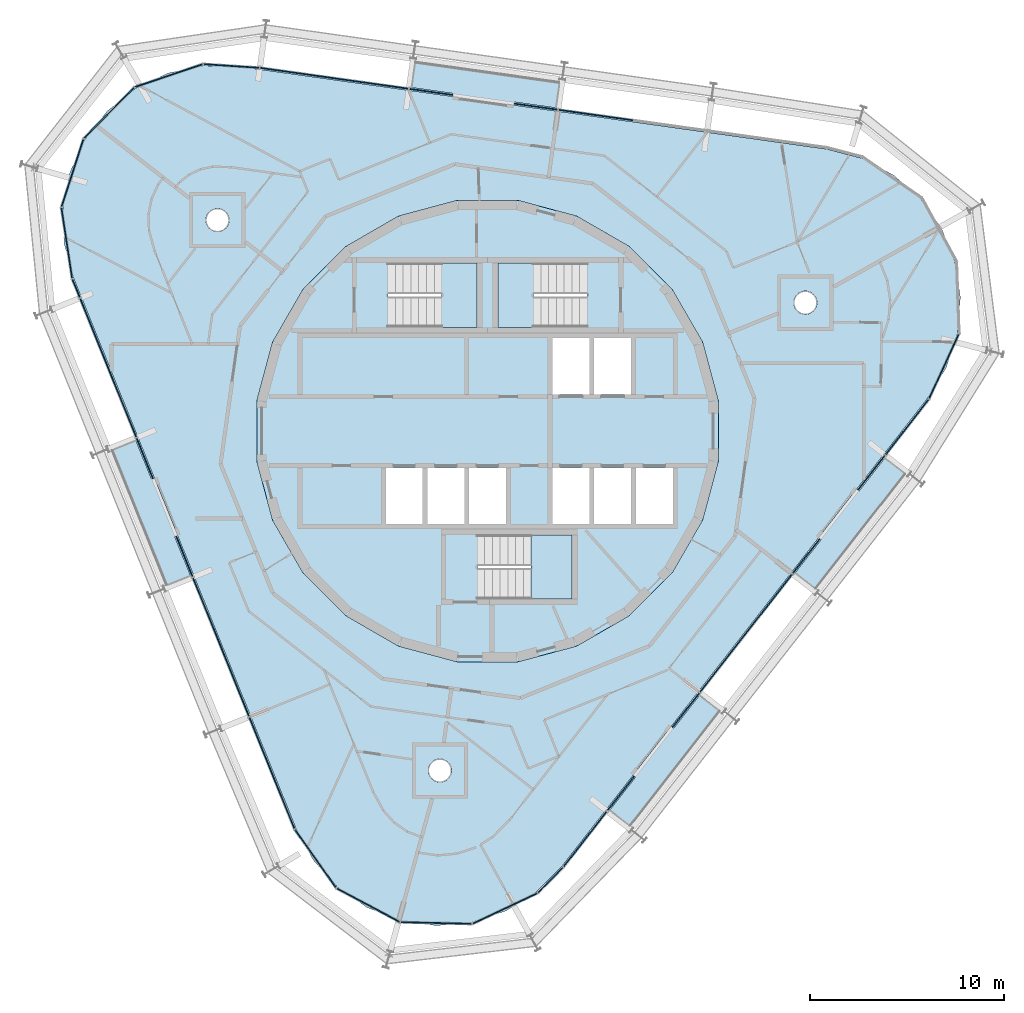
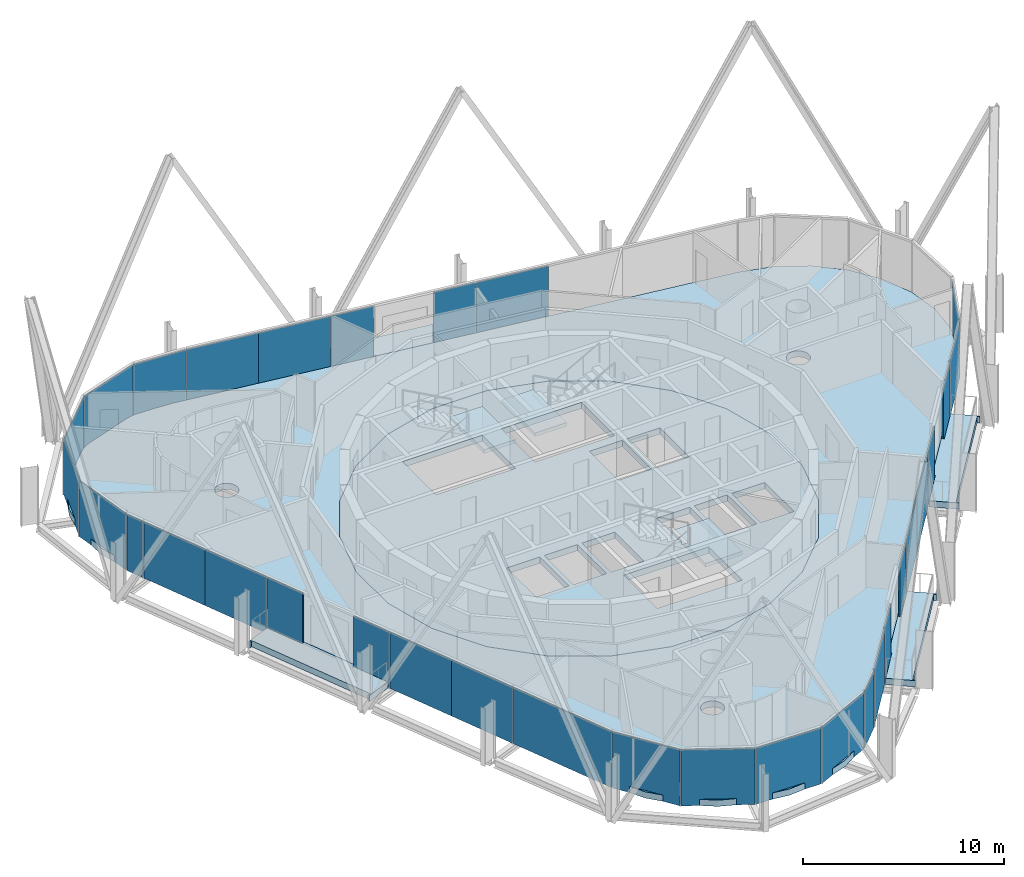
# One storey, part 8 of 15: 32 plates, 9 slabs, 9 elements without a shape of their own.
"""IFC4 building model written with IfcOpenShell, lengths in metres."""

from ifc_helpers import new_model, si_unit, direction, frame, origin, origin_2d, place, context, subcontext, project, spatial, polyline, rectangle, outline, extrude, material, layer, layer_set, type_object, element, aggregate, save


model = new_model("IFC4")

# Units and contexts
model_context = context("Model", 3, precision=1e-05, world=origin(), true_north=direction((0.0, 1.0)))
body_context = subcontext(model_context, "Body", "Model", "MODEL_VIEW")
ifc_project = project(units=[si_unit("LENGTHUNIT", "METRE"), si_unit("AREAUNIT", "SQUARE_METRE"), si_unit("VOLUMEUNIT", "CUBIC_METRE"), si_unit("PLANEANGLEUNIT", "RADIAN"), si_unit("MASSUNIT", "GRAM", prefix="KILO")], contexts=[model_context])

# Site, building, storey
site_placement = place(None, origin())
site = spatial("IfcSite", under=ifc_project, at=site_placement, CompositionType="ELEMENT")
building_placement = place(site_placement, origin())
building = spatial("IfcBuilding", under=site, at=building_placement, Name="Spindle Arch Residences", CompositionType="ELEMENT")
storey_placement = place(building_placement, frame((0.0, 0.0, 347.0)))
storey = spatial("IfcBuildingStorey", under=building, at=storey_placement, Name="L89", CompositionType="ELEMENT", Elevation=347.0)

# Slabs
ifc_material_1 = material(Name="Concrete C40/50", Category="concrete")
ifc_layer_1 = layer(ifc_material_1, 0.3798828125)
ifc_layer_set_1 = layer_set([ifc_layer_1], Name="Balcony slab 380")
slab_type_1 = type_object("IfcSlabType", Name="Balcony slab 380", PredefinedType="FLOOR", material=ifc_layer_set_1)
slab_1_placement = place(storey_placement, frame((0.0, 0.0, -0.3798828125)))
element("IfcSlab", 1, at=slab_1_placement, inside=storey, type_object=slab_type_1, Name="Balcony L89 bay 1", PredefinedType="FLOOR", context=body_context, shape_type="SweptSolid", body=[
    extrude(outline(polyline([(17.005615234375, -8.263916015625), (17.052001953125, -8.204833984375), (16.93359375, -8.1123046875), (21.530029296875, -2.2294921875), (21.648193359375, -2.32177734375), (21.6943359375, -2.2626953125), (20.520263671875, -1.34521484375), (19.160888671875, -3.085205078125), (19.034912109375, -2.986572265625), (17.064697265625, -5.50830078125), (17.19091796875, -5.606689453125), (15.83154296875, -7.346435546875), (17.005615234375, -8.263916015625)])), origin(), (0.0, 0.0, 1.0), 0.3798828125),
])
slab_2_placement = place(storey_placement, frame((0.0, 0.0, -0.3798828125)))
element("IfcSlab", 2, at=slab_2_placement, inside=storey, type_object=slab_type_1, Name="Balcony L89 bay 7", PredefinedType="FLOOR", context=body_context, shape_type="SweptSolid", body=[
    extrude(outline(polyline([(3.780517578125, 18.138916015625), (3.706298828125, 18.149169921875), (3.685302734375, 18.000732421875), (-3.70751953125, 19.039794921875), (-3.686767578125, 19.188232421875), (-3.760986328125, 19.19873046875), (-3.96826171875, 17.72314453125), (-1.781982421875, 17.416015625), (-1.80419921875, 17.257568359375), (1.364501953125, 16.81201171875), (1.38671875, 16.970458984375), (3.5732421875, 16.663330078125), (3.780517578125, 18.138916015625)])), origin(), (0.0, 0.0, 1.0), 0.3798828125),
])
slab_3_placement = place(storey_placement, frame((0.0, 0.0, -0.3798828125)))
element("IfcSlab", 3, at=slab_3_placement, inside=storey, type_object=slab_type_1, Name="Balcony L89 bay 13", PredefinedType="FLOOR", context=body_context, shape_type="SweptSolid", body=[
    extrude(outline(polyline([(-19.538330078125, -0.995361328125), (-19.51025390625, -1.06494140625), (-19.37109375, -1.008544921875), (-16.574462890625, -7.9306640625), (-16.713623046875, -7.98681640625), (-16.685302734375, -8.056396484375), (-15.303955078125, -7.498291015625), (-16.130859375, -5.451171875), (-15.982666015625, -5.391357421875), (-17.181396484375, -2.42431640625), (-17.32958984375, -2.484130859375), (-18.15673828125, -0.437255859375), (-19.538330078125, -0.995361328125)])), origin(), (0.0, 0.0, 1.0), 0.3798828125),
])
slab_4_placement = place(storey_placement, frame((0.0, 0.0, -0.3798828125)))
element("IfcSlab", 4, at=slab_4_placement, inside=storey, type_object=slab_type_1, Name="Balcony L89 bay 19", PredefinedType="FLOOR", context=body_context, shape_type="SweptSolid", body=[
    extrude(outline(polyline([(7.44384765625, -20.50244140625), (7.489990234375, -20.443359375), (7.371826171875, -20.35107421875), (11.968017578125, -14.46826171875), (12.086181640625, -14.560546875), (12.13232421875, -14.50146484375), (10.958251953125, -13.583984375), (9.59912109375, -15.32373046875), (9.472900390625, -15.225341796875), (7.5029296875, -17.7470703125), (7.62890625, -17.845458984375), (6.269775390625, -19.585205078125), (7.44384765625, -20.50244140625)])), origin(), (0.0, 0.0, 1.0), 0.3798828125),
])
ifc_material_2 = material(Name="Concrete C50/60", Category="concrete")
ifc_layer_2 = layer(ifc_material_2, 0.3798828125)
ifc_layer_set_2 = layer_set([ifc_layer_2], Name="Core floor slab 380")
slab_type_2 = type_object("IfcSlabType", Name="Core floor slab 380", PredefinedType="FLOOR", material=ifc_layer_set_2)
slab_5_placement = place(storey_placement, frame((0.0, 0.0, -0.3798828125)))
element("IfcSlab", 5, at=slab_5_placement, inside=storey, type_object=slab_type_2, Name="Core floor L89", PredefinedType="FLOOR", context=body_context, shape_type="SweptSolid", body=[
    extrude(outline(polyline([(1.56640625, -11.897216796875), (4.59228515625, -11.086669921875), (7.30517578125, -9.520263671875), (9.520263671875, -7.30517578125), (11.086669921875, -4.59228515625), (11.897216796875, -1.56640625), (11.897216796875, 1.56640625), (11.086669921875, 4.59228515625), (9.520263671875, 7.30517578125), (7.30517578125, 9.520263671875), (4.59228515625, 11.086669921875), (1.56640625, 11.897216796875), (-1.56640625, 11.897216796875), (-4.59228515625, 11.086669921875), (-7.30517578125, 9.520263671875), (-9.520263671875, 7.30517578125), (-11.086669921875, 4.59228515625), (-11.897216796875, 1.56640625), (-11.897216796875, -1.56640625), (-11.086669921875, -4.59228515625), (-9.520263671875, -7.30517578125), (-7.30517578125, -9.520263671875), (-4.59228515625, -11.086669921875), (-1.56640625, -11.897216796875), (1.56640625, -11.897216796875)]), holes=[polyline([(3.35009765625, 1.89990234375), (5.25, 1.89990234375), (5.25, 4.800048828125), (3.35009765625, 4.800048828125), (3.35009765625, 1.89990234375)]), polyline([(5.5, 1.89990234375), (7.39990234375, 1.89990234375), (7.39990234375, 4.800048828125), (5.5, 4.800048828125), (5.5, 1.89990234375)]), polyline([(-5.25, -4.800048828125), (-3.35009765625, -4.800048828125), (-3.35009765625, -1.89990234375), (-5.25, -1.89990234375), (-5.25, -4.800048828125)]), polyline([(-3.10009765625, -4.800048828125), (-1.199951171875, -4.800048828125), (-1.199951171875, -1.89990234375), (-3.10009765625, -1.89990234375), (-3.10009765625, -4.800048828125)]), polyline([(-0.949951171875, -4.800048828125), (0.949951171875, -4.800048828125), (0.949951171875, -1.89990234375), (-0.949951171875, -1.89990234375), (-0.949951171875, -4.800048828125)]), polyline([(3.35009765625, -4.800048828125), (5.25, -4.800048828125), (5.25, -1.89990234375), (3.35009765625, -1.89990234375), (3.35009765625, -4.800048828125)]), polyline([(5.5, -4.800048828125), (7.39990234375, -4.800048828125), (7.39990234375, -1.89990234375), (5.5, -1.89990234375), (5.5, -4.800048828125)]), polyline([(7.64990234375, -4.800048828125), (9.550048828125, -4.800048828125), (9.550048828125, -1.89990234375), (7.64990234375, -1.89990234375), (7.64990234375, -4.800048828125)]), polyline([(5.1298828125, 8.669921875), (0.550048828125, 8.669921875), (0.550048828125, 5.35009765625), (5.1298828125, 5.35009765625), (5.1298828125, 8.669921875)]), polyline([(-5.1298828125, 5.35009765625), (-0.550048828125, 5.35009765625), (-0.550048828125, 8.669921875), (-5.1298828125, 8.669921875), (-5.1298828125, 5.35009765625)]), polyline([(-0.530029296875, -8.669921875), (4.35009765625, -8.669921875), (4.35009765625, -5.35009765625), (-0.530029296875, -5.35009765625), (-0.530029296875, -8.669921875)])]), origin(), (0.0, 0.0, 1.0), 0.3798828125),
])

# Stair, slab
ifc_material_3 = material(Name="Concrete C50/60", Category="concrete")
stair_type = type_object("IfcStairType", Name="Exit stair 16 risers", PredefinedType="HALF_TURN_STAIR", material=ifc_material_3)
stair_1_placement = place(storey_placement, origin())
stair_1 = element("IfcStair", 6, at=stair_1_placement, inside=storey, type_object=stair_type, Name="L89 Exit stair ST1", PredefinedType="HALF_TURN_STAIR")
ifc_material_4 = material(Name="Concrete C50/60", Category="concrete")
ifc_layer_3 = layer(ifc_material_4, 0.219970703125)
ifc_layer_set_3 = layer_set([ifc_layer_3], Name="Exit stair landing 220")
slab_type_3 = type_object("IfcSlabType", Name="Exit stair landing 220", PredefinedType="LANDING", material=ifc_layer_set_3)
slab_6_placement = place(storey_placement, frame((0.0, 0.0, 1.530029296875)))
slab_6 = element("IfcSlab", 7, at=slab_6_placement, type_object=slab_type_3, Name="ST1 landing 1", PredefinedType="LANDING", context=body_context, shape_type="SweptSolid", body=[
    extrude(outline(polyline([(2.3701171875, 8.669921875), (0.550048828125, 8.669921875), (0.550048828125, 5.35009765625), (2.3701171875, 5.35009765625), (2.3701171875, 8.669921875)])), origin(), (0.0, 0.0, 1.0), 0.219970703125),
])
aggregate(stair_1, [slab_6])

stair_2_placement = place(storey_placement, origin())
stair_2 = element("IfcStair", 8, at=stair_2_placement, inside=storey, type_object=stair_type, Name="L89 Exit stair ST2", PredefinedType="HALF_TURN_STAIR")
slab_7_placement = place(storey_placement, frame((0.0, 0.0, 1.530029296875)))
slab_7 = element("IfcSlab", 9, at=slab_7_placement, type_object=slab_type_3, Name="ST2 landing 1", PredefinedType="LANDING", context=body_context, shape_type="SweptSolid", body=[
    extrude(outline(polyline([(-2.3701171875, 5.35009765625), (-0.550048828125, 5.35009765625), (-0.550048828125, 8.669921875), (-2.3701171875, 8.669921875), (-2.3701171875, 5.35009765625)])), origin(), (0.0, 0.0, 1.0), 0.219970703125),
])
aggregate(stair_2, [slab_7])

stair_3_placement = place(storey_placement, origin())
stair_3 = element("IfcStair", 10, at=stair_3_placement, inside=storey, type_object=stair_type, Name="L89 Exit stair ST3", PredefinedType="HALF_TURN_STAIR")
slab_8_placement = place(storey_placement, frame((0.0, 0.0, 1.530029296875)))
slab_8 = element("IfcSlab", 11, at=slab_8_placement, type_object=slab_type_3, Name="ST3 landing 1", PredefinedType="LANDING", context=body_context, shape_type="SweptSolid", body=[
    extrude(outline(polyline([(2.22998046875, -8.669921875), (4.35009765625, -8.669921875), (4.35009765625, -5.35009765625), (2.22998046875, -5.35009765625), (2.22998046875, -8.669921875)])), origin(), (0.0, 0.0, 1.0), 0.219970703125),
])
aggregate(stair_3, [slab_8])

# Slab
ifc_material_5 = material(Name="Concrete C40/50", Category="concrete")
ifc_layer_4 = layer(ifc_material_5, 0.3798828125)
ifc_layer_set_4 = layer_set([ifc_layer_4], Name="Floor slab 380")
slab_type_4 = type_object("IfcSlabType", Name="Floor slab 380", PredefinedType="FLOOR", material=ifc_layer_set_4)
slab_9_placement = place(storey_placement, frame((0.0, 0.0, -0.3798828125)))
element("IfcSlab", 12, at=slab_9_placement, inside=storey, type_object=slab_type_4, Name="Floor slab L89", PredefinedType="FLOOR", context=body_context, shape_type="SweptSolid", body=[
    extrude(outline(polyline([(2.5380859375, -23.751220703125), (0.962890625, -24.735595703125), (-0.796875, -25.330078125), (-2.646240234375, -25.502685546875), (-4.485595703125, -25.244140625), (-6.2158203125, -24.568359375), (-7.74365234375, -23.511962890625), (-8.986572265625, -22.131591796875), (-9.877685546875, -20.501708984375), (-21.346923828125, 7.885986328125), (-21.838134765625, 9.677490234375), (-21.903076171875, 11.53369140625), (-21.5380859375, 13.35498046875), (-20.7626953125, 15.043212890625), (-19.619140625, 16.5068359375), (-18.1689453125, 17.667236328125), (-16.489990234375, 18.462158203125), (-14.673095703125, 18.848388671875), (-12.816162109375, 18.80517578125), (17.503173828125, 14.5439453125), (19.300048828125, 14.07373046875), (20.940185546875, 13.20166015625), (22.334716796875, 11.974853515625), (23.4091796875, 10.459716796875), (24.10498046875, 8.7373046875), (24.384765625, 6.901123046875), (24.233642578125, 5.0498046875), (23.65966796875, 3.283203125), (22.69384765625, 1.696533203125), (13.268798828125, -10.36669921875), (3.843994140625, -22.43017578125), (2.5380859375, -23.751220703125)]), holes=[polyline([(7.30517578125, -9.520263671875), (9.520263671875, -7.30517578125), (11.086669921875, -4.59228515625), (11.897216796875, -1.56640625), (11.897216796875, 1.56640625), (11.086669921875, 4.59228515625), (9.520263671875, 7.30517578125), (7.30517578125, 9.520263671875), (4.59228515625, 11.086669921875), (1.56640625, 11.897216796875), (-1.56640625, 11.897216796875), (-4.59228515625, 11.086669921875), (-7.30517578125, 9.520263671875), (-9.520263671875, 7.30517578125), (-11.086669921875, 4.59228515625), (-11.897216796875, 1.56640625), (-11.897216796875, -1.56640625), (-11.086669921875, -4.59228515625), (-9.520263671875, -7.30517578125), (-7.30517578125, -9.520263671875), (-4.59228515625, -11.086669921875), (-1.56640625, -11.897216796875), (1.56640625, -11.897216796875), (4.59228515625, -11.086669921875), (7.30517578125, -9.520263671875)]), polyline([(-1.961181640625, -17.838134765625), (-1.90576171875, -17.734375), (-1.87158203125, -17.621826171875), (-1.860107421875, -17.5048828125), (-1.87158203125, -17.3876953125), (-1.90576171875, -17.275146484375), (-1.961181640625, -17.17138671875), (-2.035888671875, -17.08056640625), (-2.126708984375, -17.005859375), (-2.23046875, -16.950439453125), (-2.343017578125, -16.916259765625), (-2.460205078125, -16.90478515625), (-2.5771484375, -16.916259765625), (-2.689697265625, -16.950439453125), (-2.79345703125, -17.005859375), (-2.884521484375, -17.08056640625), (-2.958984375, -17.17138671875), (-3.014404296875, -17.275146484375), (-3.048583984375, -17.3876953125), (-3.06005859375, -17.5048828125), (-3.048583984375, -17.621826171875), (-3.014404296875, -17.734375), (-2.958984375, -17.838134765625), (-2.884521484375, -17.92919921875), (-2.79345703125, -18.003662109375), (-2.689697265625, -18.05908203125), (-2.5771484375, -18.09326171875), (-2.460205078125, -18.104736328125), (-2.343017578125, -18.09326171875), (-2.23046875, -18.05908203125), (-2.126708984375, -18.003662109375), (-2.035888671875, -17.92919921875), (-1.961181640625, -17.838134765625)]), polyline([(-13.505126953125, 10.458740234375), (-13.4306640625, 10.5498046875), (-13.375244140625, 10.6533203125), (-13.341064453125, 10.765869140625), (-13.32958984375, 10.883056640625), (-13.341064453125, 11.0), (-13.375244140625, 11.112548828125), (-13.4306640625, 11.21630859375), (-13.505126953125, 11.307373046875), (-13.59619140625, 11.3818359375), (-13.699951171875, 11.437255859375), (-13.8125, 11.471435546875), (-13.929443359375, 11.48291015625), (-14.046630859375, 11.471435546875), (-14.1591796875, 11.437255859375), (-14.2626953125, 11.3818359375), (-14.353759765625, 11.307373046875), (-14.428466796875, 11.21630859375), (-14.48388671875, 11.112548828125), (-14.51806640625, 11.0), (-14.529541015625, 10.883056640625), (-14.51806640625, 10.765869140625), (-14.48388671875, 10.6533203125), (-14.428466796875, 10.5498046875), (-14.353759765625, 10.458740234375), (-14.2626953125, 10.384033203125), (-14.1591796875, 10.32861328125), (-14.046630859375, 10.29443359375), (-13.929443359375, 10.282958984375), (-13.8125, 10.29443359375), (-13.699951171875, 10.32861328125), (-13.59619140625, 10.384033203125), (-13.505126953125, 10.458740234375)]), polyline([(16.81396484375, 6.197509765625), (16.888671875, 6.28857421875), (16.944091796875, 6.392333984375), (16.978271484375, 6.5048828125), (16.98974609375, 6.621826171875), (16.978271484375, 6.739013671875), (16.944091796875, 6.8515625), (16.888671875, 6.955078125), (16.81396484375, 7.046142578125), (16.722900390625, 7.120849609375), (16.619384765625, 7.17626953125), (16.5068359375, 7.21044921875), (16.3896484375, 7.221923828125), (16.272705078125, 7.21044921875), (16.16015625, 7.17626953125), (16.056396484375, 7.120849609375), (15.96533203125, 7.046142578125), (15.890869140625, 6.955078125), (15.83544921875, 6.8515625), (15.80126953125, 6.739013671875), (15.789794921875, 6.621826171875), (15.80126953125, 6.5048828125), (15.83544921875, 6.392333984375), (15.890869140625, 6.28857421875), (15.96533203125, 6.197509765625), (16.056396484375, 6.123046875), (16.16015625, 6.067626953125), (16.272705078125, 6.033447265625), (16.3896484375, 6.02197265625), (16.5068359375, 6.033447265625), (16.619384765625, 6.067626953125), (16.722900390625, 6.123046875), (16.81396484375, 6.197509765625)])]), origin(), (0.0, 0.0, 1.0), 0.3798828125),
])

# Curtain wall, plates
ifc_material_6 = material(Name="Aluminium bronze unitised frame with tinted glass", Category="aluminium")
ifc_layer_5 = layer(ifc_material_6, 0.159912109375)
ifc_layer_set_5 = layer_set([ifc_layer_5], Name="CW-D corner wall on the fillet arcs")
curtain_wall_type_1 = type_object("IfcCurtainWallType", Name="CW-D corner wall on the fillet arcs", PredefinedType="NOTDEFINED", material=ifc_layer_set_5)
curtain_wall_1_placement = place(storey_placement, origin())
curtain_wall_1 = element("IfcCurtainWall", 13, at=curtain_wall_1_placement, inside=storey, type_object=curtain_wall_type_1, Name="CW-D L89 run 1", PredefinedType="NOTDEFINED")
ifc_material_7 = material(Name="Tinted double glazing over aluminium faced non-combustible spandrel zone (K0)", Category="aluminium")
ifc_layer_6 = layer(ifc_material_7, 0.06005859375)
ifc_layer_set_6 = layer_set([ifc_layer_6], Name="Unitised glass panel with E 60 spandrel zone")
plate_type = type_object("IfcPlateType", Name="Unitised glass panel with E 60 spandrel zone", PredefinedType="CURTAIN_PANEL", material=ifc_layer_set_6)
plate_1_placement = place(storey_placement, frame((21.630126953125, 0.205078125, -0.3798828125), z_axis=(0.0, 0.0, 1.0), x_axis=(0.615661475326, 0.788010753607, 0.0)))
plate_1 = element("IfcPlate", 14, at=plate_1_placement, type_object=plate_type, Name="CW-D unit 00", PredefinedType="CURTAIN_PANEL", context=body_context, shape_type="SweptSolid", body=[
    extrude(rectangle(XDim=3.60009765625, YDim=0.06005859375, at=origin_2d()), origin(), (0.0, 0.0, 1.0), 3.3798828125),
])
plate_2_placement = place(storey_placement, frame((23.534423828125, 3.340576171875, -0.3798828125), z_axis=(0.0, 0.0, 1.0), x_axis=(0.417338452362, 0.908751129947, 0.0)))
plate_2 = element("IfcPlate", 15, at=plate_2_placement, type_object=plate_type, Name="CW-D unit 01", PredefinedType="CURTAIN_PANEL", context=body_context, shape_type="SweptSolid", body=[
    extrude(rectangle(XDim=3.666748046875, YDim=0.06005859375, at=origin_2d()), origin(), (0.0, 0.0, 1.0), 3.3798828125),
])
aggregate(curtain_wall_1, [plate_1, plate_2])

ifc_material_8 = material(Name="Aluminium bronze unitised frame with tinted glass", Category="aluminium")
ifc_layer_7 = layer(ifc_material_8, 0.159912109375)
ifc_layer_set_7 = layer_set([ifc_layer_7], Name="CW-C typical residential unitised wall")
curtain_wall_type_2 = type_object("IfcCurtainWallType", Name="CW-C typical residential unitised wall", PredefinedType="NOTDEFINED", material=ifc_layer_set_7)
curtain_wall_2_placement = place(storey_placement, origin())
curtain_wall_2 = element("IfcCurtainWall", 16, at=curtain_wall_2_placement, inside=storey, type_object=curtain_wall_type_2, Name="CW-C L89 run 2", PredefinedType="NOTDEFINED")
plate_3_placement = place(storey_placement, frame((5.57373046875, 16.30126953125, -0.3798828125), z_axis=(0.0, 0.0, 1.0), x_axis=(-0.990268068742, 0.13917310096, 0.0)))
plate_3 = element("IfcPlate", 17, at=plate_3_placement, type_object=plate_type, Name="CW-C unit 05B", PredefinedType="CURTAIN_PANEL", context=body_context, shape_type="SweptSolid", body=[
    extrude(rectangle(XDim=3.852783203125, YDim=0.06005859375, at=origin_2d()), origin(), (0.0, 0.0, 1.0), 3.3798828125),
])
plate_4_placement = place(storey_placement, frame((2.4912109375, 16.734619140625, -0.3798828125), z_axis=(0.0, 0.0, 1.0), x_axis=(-0.990268068742, 0.13917310096, 0.0)))
plate_4 = element("IfcPlate", 18, at=plate_4_placement, type_object=plate_type, Name="CW-C unit 06L", PredefinedType="CURTAIN_PANEL", context=body_context, shape_type="SweptSolid", body=[
    extrude(rectangle(XDim=2.252685546875, YDim=0.06005859375, at=origin_2d()), origin(), (0.0, 0.0, 1.0), 3.3798828125),
])
plate_5_placement = place(storey_placement, frame((-2.90869140625, 17.493408203125, -0.3798828125), z_axis=(0.0, 0.0, 1.0), x_axis=(-0.990268068742, 0.13917310096, 0.0)))
plate_5 = element("IfcPlate", 19, at=plate_5_placement, type_object=plate_type, Name="CW-C unit 06R", PredefinedType="CURTAIN_PANEL", context=body_context, shape_type="SweptSolid", body=[
    extrude(rectangle(XDim=2.252685546875, YDim=0.06005859375, at=origin_2d()), origin(), (0.0, 0.0, 1.0), 3.3798828125),
])
plate_6_placement = place(storey_placement, frame((-5.9912109375, 17.9267578125, -0.3798828125), z_axis=(0.0, 0.0, 1.0), x_axis=(-0.990268068742, 0.13917310096, 0.0)))
plate_6 = element("IfcPlate", 20, at=plate_6_placement, type_object=plate_type, Name="CW-C unit 07A", PredefinedType="CURTAIN_PANEL", context=body_context, shape_type="SweptSolid", body=[
    extrude(rectangle(XDim=3.852783203125, YDim=0.06005859375, at=origin_2d()), origin(), (0.0, 0.0, 1.0), 3.3798828125),
])
plate_7_placement = place(storey_placement, frame((-9.806396484375, 18.462890625, -0.3798828125), z_axis=(0.0, 0.0, 1.0), x_axis=(-0.990268068742, 0.13917310096, 0.0)))
plate_7 = element("IfcPlate", 21, at=plate_7_placement, type_object=plate_type, Name="CW-C unit 07B", PredefinedType="CURTAIN_PANEL", context=body_context, shape_type="SweptSolid", body=[
    extrude(rectangle(XDim=3.852783203125, YDim=0.06005859375, at=origin_2d()), origin(), (0.0, 0.0, 1.0), 3.3798828125),
])
aggregate(curtain_wall_2, [plate_3, plate_4, plate_5, plate_6, plate_7])

curtain_wall_3_placement = place(storey_placement, origin())
curtain_wall_3 = element("IfcCurtainWall", 22, at=curtain_wall_3_placement, inside=storey, type_object=curtain_wall_type_1, Name="CW-D L89 run 3", PredefinedType="NOTDEFINED")
plate_8_placement = place(storey_placement, frame((-13.212158203125, 18.83154296875, -0.3798828125), z_axis=(0.0, 0.0, 1.0), x_axis=(-0.99785193122, 0.065509719587, 0.0)))
plate_8 = element("IfcPlate", 23, at=plate_8_placement, type_object=plate_type, Name="CW-D unit 00", PredefinedType="CURTAIN_PANEL", context=body_context, shape_type="SweptSolid", body=[
    extrude(rectangle(XDim=2.883056640625, YDim=0.06005859375, at=origin_2d()), origin(), (0.0, 0.0, 1.0), 3.3798828125),
])
plate_9_placement = place(storey_placement, frame((-16.446044921875, 18.33154296875, -0.3798828125), z_axis=(0.0, 0.0, 1.0), x_axis=(-0.947396640541, -0.320061877599, 0.0)))
plate_9 = element("IfcPlate", 24, at=plate_9_placement, type_object=plate_type, Name="CW-D unit 01", PredefinedType="CURTAIN_PANEL", context=body_context, shape_type="SweptSolid", body=[
    extrude(rectangle(XDim=3.666748046875, YDim=0.06005859375, at=origin_2d()), origin(), (0.0, 0.0, 1.0), 3.3798828125),
])
plate_10_placement = place(storey_placement, frame((-19.521240234375, 16.409912109375, -0.3798828125), z_axis=(0.0, 0.0, 1.0), x_axis=(-0.702981055369, -0.711208574043, 0.0)))
plate_10 = element("IfcPlate", 25, at=plate_10_placement, type_object=plate_type, Name="CW-D unit 02", PredefinedType="CURTAIN_PANEL", context=body_context, shape_type="SweptSolid", body=[
    extrude(rectangle(XDim=3.666748046875, YDim=0.06005859375, at=origin_2d()), origin(), (0.0, 0.0, 1.0), 3.3798828125),
])
plate_11_placement = place(storey_placement, frame((-21.406982421875, 13.3125, -0.3798828125), z_axis=(0.0, 0.0, 1.0), x_axis=(-0.309016990673, -0.951056517498, 0.0)))
plate_11 = element("IfcPlate", 26, at=plate_11_placement, type_object=plate_type, Name="CW-D unit 03", PredefinedType="CURTAIN_PANEL", context=body_context, shape_type="SweptSolid", body=[
    extrude(rectangle(XDim=3.666748046875, YDim=0.06005859375, at=origin_2d()), origin(), (0.0, 0.0, 1.0), 3.3798828125),
])
plate_12_placement = place(storey_placement, frame((-21.701904296875, 9.6982421875, -0.3798828125), z_axis=(0.0, 0.0, 1.0), x_axis=(0.150685718984, -0.988581718471, 0.0)))
plate_12 = element("IfcPlate", 27, at=plate_12_placement, type_object=plate_type, Name="CW-D unit 04", PredefinedType="CURTAIN_PANEL", context=body_context, shape_type="SweptSolid", body=[
    extrude(rectangle(XDim=3.666748046875, YDim=0.06005859375, at=origin_2d()), origin(), (0.0, 0.0, 1.0), 3.3798828125),
])
plate_13_placement = place(storey_placement, frame((-21.220458984375, 7.359375, -0.3798828125), z_axis=(0.0, 0.0, 1.0), x_axis=(0.374606593416, -0.927183854567, 0.0)))
plate_13 = element("IfcPlate", 28, at=plate_13_placement, type_object=plate_type, Name="CW-D unit 05", PredefinedType="CURTAIN_PANEL", context=body_context, shape_type="SweptSolid", body=[
    extrude(rectangle(XDim=1.01171875, YDim=0.06005859375, at=origin_2d()), origin(), (0.0, 0.0, 1.0), 3.3798828125),
])
aggregate(curtain_wall_3, [plate_8, plate_9, plate_10, plate_11, plate_12, plate_13])

curtain_wall_4_placement = place(storey_placement, origin())
curtain_wall_4 = element("IfcCurtainWall", 29, at=curtain_wall_4_placement, inside=storey, type_object=curtain_wall_type_2, Name="CW-C L89 run 4", PredefinedType="NOTDEFINED")
plate_14_placement = place(storey_placement, frame((-20.286865234375, 5.048583984375, -0.3798828125), z_axis=(0.0, 0.0, 1.0), x_axis=(0.374606593416, -0.927183854567, 0.0)))
plate_14 = element("IfcPlate", 30, at=plate_14_placement, type_object=plate_type, Name="CW-C unit 11A", PredefinedType="CURTAIN_PANEL", context=body_context, shape_type="SweptSolid", body=[
    extrude(rectangle(XDim=3.852783203125, YDim=0.06005859375, at=origin_2d()), origin(), (0.0, 0.0, 1.0), 3.3798828125),
])
plate_15_placement = place(storey_placement, frame((-18.843505859375, 1.476318359375, -0.3798828125), z_axis=(0.0, 0.0, 1.0), x_axis=(0.374606593416, -0.927183854567, 0.0)))
plate_15 = element("IfcPlate", 31, at=plate_15_placement, type_object=plate_type, Name="CW-C unit 11B", PredefinedType="CURTAIN_PANEL", context=body_context, shape_type="SweptSolid", body=[
    extrude(rectangle(XDim=3.852783203125, YDim=0.06005859375, at=origin_2d()), origin(), (0.0, 0.0, 1.0), 3.3798828125),
])
plate_16_placement = place(storey_placement, frame((-17.677490234375, -1.409912109375, -0.3798828125), z_axis=(0.0, 0.0, 1.0), x_axis=(0.374606593416, -0.927183854567, 0.0)))
plate_16 = element("IfcPlate", 32, at=plate_16_placement, type_object=plate_type, Name="CW-C unit 12L", PredefinedType="CURTAIN_PANEL", context=body_context, shape_type="SweptSolid", body=[
    extrude(rectangle(XDim=2.252685546875, YDim=0.06005859375, at=origin_2d()), origin(), (0.0, 0.0, 1.0), 3.3798828125),
])
plate_17_placement = place(storey_placement, frame((-15.634765625, -6.465576171875, -0.3798828125), z_axis=(0.0, 0.0, 1.0), x_axis=(0.374606593416, -0.927183854567, 0.0)))
plate_17 = element("IfcPlate", 33, at=plate_17_placement, type_object=plate_type, Name="CW-C unit 12R", PredefinedType="CURTAIN_PANEL", context=body_context, shape_type="SweptSolid", body=[
    extrude(rectangle(XDim=2.252685546875, YDim=0.06005859375, at=origin_2d()), origin(), (0.0, 0.0, 1.0), 3.3798828125),
])
plate_18_placement = place(storey_placement, frame((-14.46875, -9.351806640625, -0.3798828125), z_axis=(0.0, 0.0, 1.0), x_axis=(0.374606593416, -0.927183854567, 0.0)))
plate_18 = element("IfcPlate", 34, at=plate_18_placement, type_object=plate_type, Name="CW-C unit 13A", PredefinedType="CURTAIN_PANEL", context=body_context, shape_type="SweptSolid", body=[
    extrude(rectangle(XDim=3.852783203125, YDim=0.06005859375, at=origin_2d()), origin(), (0.0, 0.0, 1.0), 3.3798828125),
])
plate_19_placement = place(storey_placement, frame((-13.025390625, -12.924072265625, -0.3798828125), z_axis=(0.0, 0.0, 1.0), x_axis=(0.374606593416, -0.927183854567, 0.0)))
plate_19 = element("IfcPlate", 35, at=plate_19_placement, type_object=plate_type, Name="CW-C unit 13B", PredefinedType="CURTAIN_PANEL", context=body_context, shape_type="SweptSolid", body=[
    extrude(rectangle(XDim=3.852783203125, YDim=0.06005859375, at=origin_2d()), origin(), (0.0, 0.0, 1.0), 3.3798828125),
])
aggregate(curtain_wall_4, [plate_14, plate_15, plate_16, plate_17, plate_18, plate_19])

curtain_wall_5_placement = place(storey_placement, origin())
curtain_wall_5 = element("IfcCurtainWall", 36, at=curtain_wall_5_placement, inside=storey, type_object=curtain_wall_type_1, Name="CW-D L89 run 5", PredefinedType="NOTDEFINED")
plate_20_placement = place(storey_placement, frame((-11.122314453125, -17.634765625, -0.3798828125), z_axis=(0.0, 0.0, 1.0), x_axis=(0.374606593416, -0.927183854567, 0.0)))
plate_20 = element("IfcPlate", 37, at=plate_20_placement, type_object=plate_type, Name="CW-D unit 00", PredefinedType="CURTAIN_PANEL", context=body_context, shape_type="SweptSolid", body=[
    extrude(rectangle(XDim=6.188720703125, YDim=0.06005859375, at=origin_2d()), origin(), (0.0, 0.0, 1.0), 3.3798828125),
])
plate_21_placement = place(storey_placement, frame((-8.8740234375, -22.0517578125, -0.3798828125), z_axis=(0.0, 0.0, 1.0), x_axis=(0.578332338584, -0.815801266332, 0.0)))
plate_21 = element("IfcPlate", 38, at=plate_21_placement, type_object=plate_type, Name="CW-D unit 01", PredefinedType="CURTAIN_PANEL", context=body_context, shape_type="SweptSolid", body=[
    extrude(rectangle(XDim=3.666748046875, YDim=0.06005859375, at=origin_2d()), origin(), (0.0, 0.0, 1.0), 3.3798828125),
])
plate_22_placement = place(storey_placement, frame((-6.151123046875, -24.44677734375, -0.3798828125), z_axis=(0.0, 0.0, 1.0), x_axis=(0.882947592408, -0.469471563633, 0.0)))
plate_22 = element("IfcPlate", 39, at=plate_22_placement, type_object=plate_type, Name="CW-D unit 02", PredefinedType="CURTAIN_PANEL", context=body_context, shape_type="SweptSolid", body=[
    extrude(rectangle(XDim=3.666748046875, YDim=0.06005859375, at=origin_2d()), origin(), (0.0, 0.0, 1.0), 3.3798828125),
])
plate_23_placement = place(storey_placement, frame((-2.64306640625, -25.364990234375, -0.3798828125), z_axis=(0.0, 0.0, 1.0), x_axis=(0.999729241109, -0.023268959422, 0.0)))
plate_23 = element("IfcPlate", 40, at=plate_23_placement, type_object=plate_type, Name="CW-D unit 03", PredefinedType="CURTAIN_PANEL", context=body_context, shape_type="SweptSolid", body=[
    extrude(rectangle(XDim=3.666748046875, YDim=0.06005859375, at=origin_2d()), origin(), (0.0, 0.0, 1.0), 3.3798828125),
])
plate_24_placement = place(storey_placement, frame((0.904052734375, -24.61083984375, -0.3798828125), z_axis=(0.0, 0.0, 1.0), x_axis=(0.903833768547, 0.427883767902, 0.0)))
plate_24 = element("IfcPlate", 41, at=plate_24_placement, type_object=plate_type, Name="CW-D unit 04", PredefinedType="CURTAIN_PANEL", context=body_context, shape_type="SweptSolid", body=[
    extrude(rectangle(XDim=3.666748046875, YDim=0.06005859375, at=origin_2d()), origin(), (0.0, 0.0, 1.0), 3.3798828125),
])
plate_25_placement = place(storey_placement, frame((3.24755859375, -23.146484375, -0.3798828125), z_axis=(0.0, 0.0, 1.0), x_axis=(0.702981053644, 0.711208575748, 0.0)))
plate_25 = element("IfcPlate", 42, at=plate_25_placement, type_object=plate_type, Name="CW-D unit 05", PredefinedType="CURTAIN_PANEL", context=body_context, shape_type="SweptSolid", body=[
    extrude(rectangle(XDim=1.816162109375, YDim=0.06005859375, at=origin_2d()), origin(), (0.0, 0.0, 1.0), 3.3798828125),
])
plate_26_placement = place(storey_placement, frame((5.03369140625, -21.037109375, -0.3798828125), z_axis=(0.0, 0.0, 1.0), x_axis=(0.615661475326, 0.788010753607, 0.0)))
plate_26 = element("IfcPlate", 43, at=plate_26_placement, type_object=plate_type, Name="CW-D unit 06", PredefinedType="CURTAIN_PANEL", context=body_context, shape_type="SweptSolid", body=[
    extrude(rectangle(XDim=3.60009765625, YDim=0.06005859375, at=origin_2d()), origin(), (0.0, 0.0, 1.0), 3.3798828125),
])
aggregate(curtain_wall_5, [plate_20, plate_21, plate_22, plate_23, plate_24, plate_25, plate_26])

curtain_wall_6_placement = place(storey_placement, origin())
curtain_wall_6 = element("IfcCurtainWall", 44, at=curtain_wall_6_placement, inside=storey, type_object=curtain_wall_type_2, Name="CW-C L89 run 6", PredefinedType="NOTDEFINED")
plate_27_placement = place(storey_placement, frame((6.872314453125, -18.683837890625, -0.3798828125), z_axis=(0.0, 0.0, 1.0), x_axis=(0.615661475326, 0.788010753607, 0.0)))
plate_27 = element("IfcPlate", 45, at=plate_27_placement, type_object=plate_type, Name="CW-C unit 18L", PredefinedType="CURTAIN_PANEL", context=body_context, shape_type="SweptSolid", body=[
    extrude(rectangle(XDim=2.252685546875, YDim=0.06005859375, at=origin_2d()), origin(), (0.0, 0.0, 1.0), 3.3798828125),
])
plate_28_placement = place(storey_placement, frame((10.2294921875, -14.386962890625, -0.3798828125), z_axis=(0.0, 0.0, 1.0), x_axis=(0.615661475326, 0.788010753607, 0.0)))
plate_28 = element("IfcPlate", 46, at=plate_28_placement, type_object=plate_type, Name="CW-C unit 18R", PredefinedType="CURTAIN_PANEL", context=body_context, shape_type="SweptSolid", body=[
    extrude(rectangle(XDim=2.252685546875, YDim=0.06005859375, at=origin_2d()), origin(), (0.0, 0.0, 1.0), 3.3798828125),
])
plate_29_placement = place(storey_placement, frame((12.14599609375, -11.93408203125, -0.3798828125), z_axis=(0.0, 0.0, 1.0), x_axis=(0.615661475326, 0.788010753607, 0.0)))
plate_29 = element("IfcPlate", 47, at=plate_29_placement, type_object=plate_type, Name="CW-C unit 19A", PredefinedType="CURTAIN_PANEL", context=body_context, shape_type="SweptSolid", body=[
    extrude(rectangle(XDim=3.852783203125, YDim=0.06005859375, at=origin_2d()), origin(), (0.0, 0.0, 1.0), 3.3798828125),
])
plate_30_placement = place(storey_placement, frame((14.517822265625, -8.89794921875, -0.3798828125), z_axis=(0.0, 0.0, 1.0), x_axis=(0.615661475326, 0.788010753607, 0.0)))
plate_30 = element("IfcPlate", 48, at=plate_30_placement, type_object=plate_type, Name="CW-C unit 19B", PredefinedType="CURTAIN_PANEL", context=body_context, shape_type="SweptSolid", body=[
    extrude(rectangle(XDim=3.852783203125, YDim=0.06005859375, at=origin_2d()), origin(), (0.0, 0.0, 1.0), 3.3798828125),
])
plate_31_placement = place(storey_placement, frame((16.434326171875, -6.445068359375, -0.3798828125), z_axis=(0.0, 0.0, 1.0), x_axis=(0.615661475326, 0.788010753607, 0.0)))
plate_31 = element("IfcPlate", 49, at=plate_31_placement, type_object=plate_type, Name="CW-C unit 00L", PredefinedType="CURTAIN_PANEL", context=body_context, shape_type="SweptSolid", body=[
    extrude(rectangle(XDim=2.252685546875, YDim=0.06005859375, at=origin_2d()), origin(), (0.0, 0.0, 1.0), 3.3798828125),
])
plate_32_placement = place(storey_placement, frame((19.79150390625, -2.148193359375, -0.3798828125), z_axis=(0.0, 0.0, 1.0), x_axis=(0.615661475326, 0.788010753607, 0.0)))
plate_32 = element("IfcPlate", 50, at=plate_32_placement, type_object=plate_type, Name="CW-C unit 00R", PredefinedType="CURTAIN_PANEL", context=body_context, shape_type="SweptSolid", body=[
    extrude(rectangle(XDim=2.252685546875, YDim=0.06005859375, at=origin_2d()), origin(), (0.0, 0.0, 1.0), 3.3798828125),
])
aggregate(curtain_wall_6, [plate_27, plate_28, plate_29, plate_30, plate_31, plate_32])

save(model, "model.ifc")
